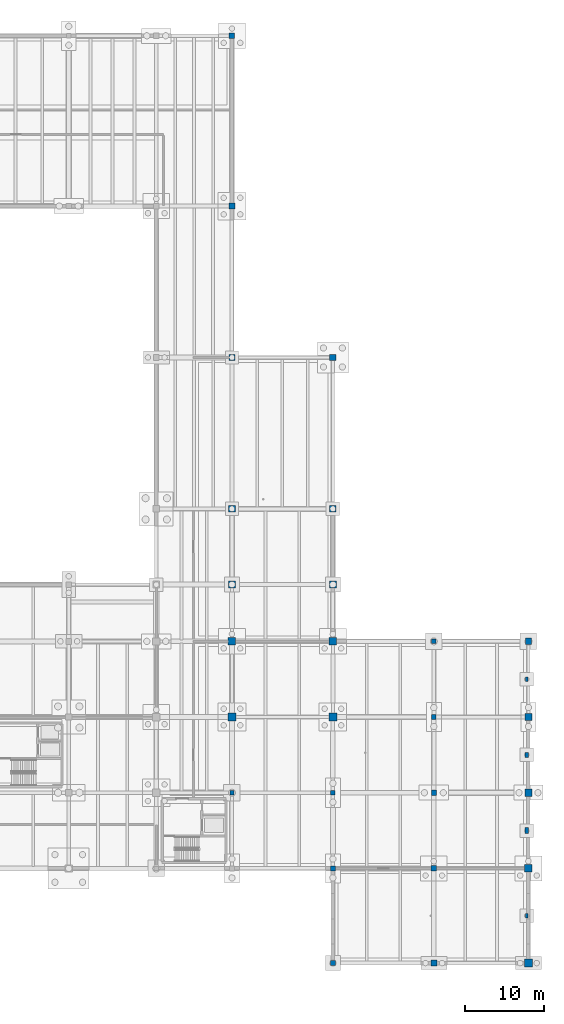
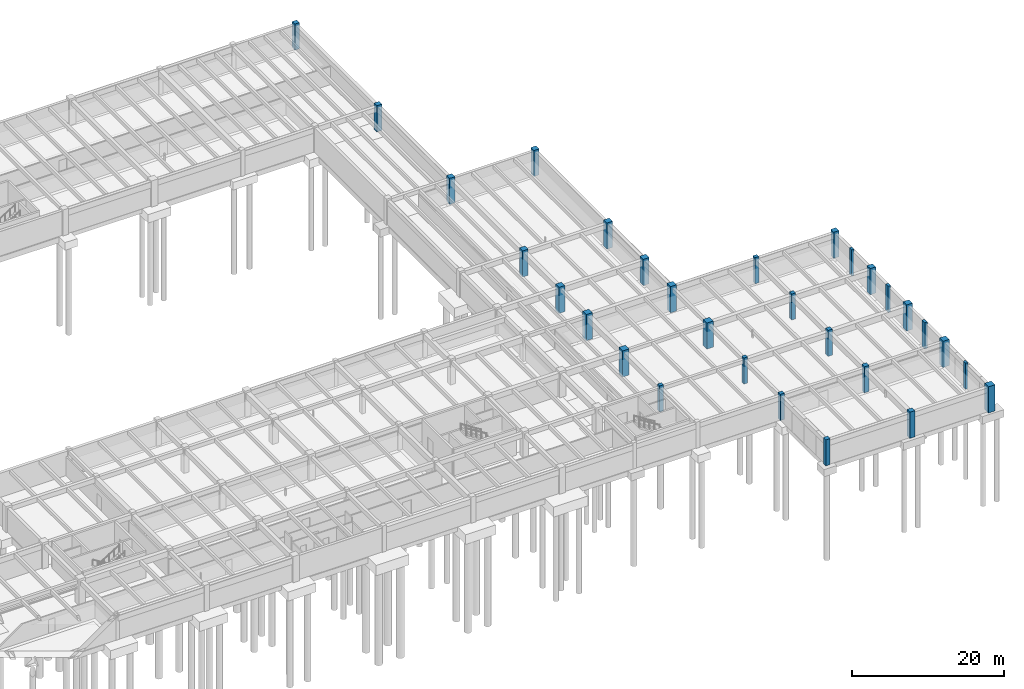
# One storey, part 8 of 41: 30 columns.
"""IFC4 building model written with IfcOpenShell, lengths in metres."""

from ifc_helpers import new_model, si_unit, direction, frame, origin, origin_2d, place, context, subcontext, project, spatial, rectangle, extrude, material, material_profile, profile_set, type_object, element, save


model = new_model("IFC4")

# Units and contexts
model_context = context("Model", 3, precision=1e-05, world=origin(), true_north=direction((0.0, 1.0)))
body_context = subcontext(model_context, "Body", "Model", "MODEL_VIEW")
ifc_project = project(units=[si_unit("LENGTHUNIT", "METRE"), si_unit("AREAUNIT", "SQUARE_METRE"), si_unit("VOLUMEUNIT", "CUBIC_METRE"), si_unit("PLANEANGLEUNIT", "RADIAN"), si_unit("MASSUNIT", "GRAM", prefix="KILO")], contexts=[model_context])

# Site, building, storey
site_placement = place(None, origin())
site = spatial("IfcSite", under=ifc_project, at=site_placement, CompositionType="ELEMENT")
building_placement = place(site_placement, origin())
building = spatial("IfcBuilding", under=site, at=building_placement, Name="Fikremerkos Civic Library", CompositionType="ELEMENT")
storey_placement = place(building_placement, frame((0.0, 0.0, -8.39990234375)))
storey = spatial("IfcBuildingStorey", under=building, at=storey_placement, Name="B02", CompositionType="ELEMENT", Elevation=-8.39990234375)

# Columns
ifc_material_1 = material(Name="Concrete C45/55", Category="concrete")
ifc_material_profile_1 = material_profile(ifc_material_1, rectangle(XDim=1.0, YDim=1.0, at=origin_2d()), Name="RC 1000x1000")
ifc_profile_set_1 = profile_set([ifc_material_profile_1], Name="Concrete C45/55")
column_type_1 = type_object("IfcColumnType", Name="Structural column COL-01 RC 1000x1000", PredefinedType="COLUMN", material=ifc_profile_set_1)
for number, where, z_axis, x_axis, name in (
    (1, (134.39990234375, 31.199951171875, 0.0), (0.0, 0.0, 1.0), (1.0, 0.0, 0.0), "Column COL-01 B02 12/G"),
    (2, (147.199951171875, 31.199951171875, 0.0), (0.0, 0.0, 1.0), (1.0, 0.0, 0.0), "Column COL-01 B02 13/G"),
    (3, (172.0, 0.0, 0.0), (0.0, 0.0, 1.0), (1.0, 0.0, 0.0), "Column COL-01 B02 15/A"),
):
    element("IfcColumn", number, at=place(storey_placement, frame(where, z_axis=z_axis, x_axis=x_axis)), inside=storey, type_object=column_type_1, Name=name, PredefinedType="COLUMN", context=body_context, shape_type="SweptSolid", body=[
        extrude(rectangle(XDim=1.0, YDim=1.0, at=origin_2d()), origin(), (0.0, 0.0, 1.0), 4.199951171875),
    ])
ifc_material_profile_2 = material_profile(ifc_material_1, rectangle(XDim=0.949951171875, YDim=0.949951171875, at=origin_2d()), Name="RC 950x950")
ifc_profile_set_2 = profile_set([ifc_material_profile_2], Name="Concrete C45/55")
column_type_2 = type_object("IfcColumnType", Name="Structural column COL-02 RC 950x950", PredefinedType="COLUMN", material=ifc_profile_set_2)
for number, where, z_axis, x_axis, name in (
    (4, (134.39990234375, 40.800048828125, 0.0), (0.0, 0.0, 1.0), (1.0, 0.0, 0.0), "Column COL-02 B02 12/H"),
    (5, (147.199951171875, 40.800048828125, 0.0), (0.0, 0.0, 1.0), (1.0, 0.0, 0.0), "Column COL-02 B02 13/H"),
    (6, (172.0, 12.0, 0.0), (0.0, 0.0, 1.0), (1.0, 0.0, 0.0), "Column COL-02 B02 15/E"),
):
    element("IfcColumn", number, at=place(storey_placement, frame(where, z_axis=z_axis, x_axis=x_axis)), inside=storey, type_object=column_type_2, Name=name, PredefinedType="COLUMN", context=body_context, shape_type="SweptSolid", body=[
        extrude(rectangle(XDim=0.949951171875, YDim=0.949951171875, at=origin_2d()), origin(), (0.0, 0.0, 1.0), 4.199951171875),
    ])
ifc_material_profile_3 = material_profile(ifc_material_1, rectangle(XDim=0.89990234375, YDim=0.89990234375, at=origin_2d()), Name="RC 900x900")
ifc_profile_set_3 = profile_set([ifc_material_profile_3], Name="Concrete C45/55")
column_type_3 = type_object("IfcColumnType", Name="Structural column COL-03 RC 900x900", PredefinedType="COLUMN", material=ifc_profile_set_3)
for number, where, z_axis, x_axis, name in (
    (7, (134.39990234375, 48.0, 0.0), (0.0, 0.0, 1.0), (1.0, 0.0, 0.0), "Column COL-03 B02 12/J"),
    (8, (147.199951171875, 48.0, 0.0), (0.0, 0.0, 1.0), (1.0, 0.0, 0.0), "Column COL-03 B02 13/J"),
    (9, (172.0, 21.60009765625, 0.0), (0.0, 0.0, 1.0), (1.0, 0.0, 0.0), "Column COL-03 B02 15/F"),
):
    element("IfcColumn", number, at=place(storey_placement, frame(where, z_axis=z_axis, x_axis=x_axis)), inside=storey, type_object=column_type_3, Name=name, PredefinedType="COLUMN", context=body_context, shape_type="SweptSolid", body=[
        extrude(rectangle(XDim=0.89990234375, YDim=0.89990234375, at=origin_2d()), origin(), (0.0, 0.0, 1.0), 4.199951171875),
    ])
ifc_material_2 = material(Name="Concrete C40/50", Category="concrete")
ifc_material_profile_4 = material_profile(ifc_material_2, rectangle(XDim=0.85009765625, YDim=0.85009765625, at=origin_2d()), Name="RC 850x850")
ifc_profile_set_4 = profile_set([ifc_material_profile_4], Name="Concrete C40/50")
column_type_4 = type_object("IfcColumnType", Name="Structural column COL-04 RC 850x850", PredefinedType="COLUMN", material=ifc_profile_set_4)
for number, where, z_axis, x_axis, name in (
    (10, (134.39990234375, 57.60009765625, 0.0), (0.0, 0.0, 1.0), (1.0, 0.0, 0.0), "Column COL-04 B02 12/K"),
    (11, (147.199951171875, 57.60009765625, 0.0), (0.0, 0.0, 1.0), (1.0, 0.0, 0.0), "Column COL-04 B02 13/K"),
    (12, (172.0, 31.199951171875, 0.0), (0.0, 0.0, 1.0), (1.0, 0.0, 0.0), "Column COL-04 B02 15/G"),
):
    element("IfcColumn", number, at=place(storey_placement, frame(where, z_axis=z_axis, x_axis=x_axis)), inside=storey, type_object=column_type_4, Name=name, PredefinedType="COLUMN", context=body_context, shape_type="SweptSolid", body=[
        extrude(rectangle(XDim=0.85009765625, YDim=0.85009765625, at=origin_2d()), origin(), (0.0, 0.0, 1.0), 4.199951171875),
    ])
ifc_material_profile_5 = material_profile(ifc_material_2, rectangle(XDim=0.800048828125, YDim=0.800048828125, at=origin_2d()), Name="RC 800x800")
ifc_profile_set_5 = profile_set([ifc_material_profile_5], Name="Concrete C40/50")
column_type_5 = type_object("IfcColumnType", Name="Structural column COL-05 RC 800x800", PredefinedType="COLUMN", material=ifc_profile_set_5)
for number, where, z_axis, x_axis, name in (
    (13, (134.39990234375, 76.800048828125, 0.0), (0.0, 0.0, 1.0), (1.0, 0.0, 0.0), "Column COL-05 B02 12/L"),
    (14, (147.199951171875, 76.800048828125, 0.0), (0.0, 0.0, 1.0), (1.0, 0.0, 0.0), "Column COL-05 B02 13/L"),
    (15, (172.0, 40.800048828125, 0.0), (0.0, 0.0, 1.0), (1.0, 0.0, 0.0), "Column COL-05 B02 15/H"),
):
    element("IfcColumn", number, at=place(storey_placement, frame(where, z_axis=z_axis, x_axis=x_axis)), inside=storey, type_object=column_type_5, Name=name, PredefinedType="COLUMN", context=body_context, shape_type="SweptSolid", body=[
        extrude(rectangle(XDim=0.800048828125, YDim=0.800048828125, at=origin_2d()), origin(), (0.0, 0.0, 1.0), 4.199951171875),
    ])
ifc_material_profile_6 = material_profile(ifc_material_2, rectangle(XDim=0.75, YDim=0.75, at=origin_2d()), Name="RC 750x750")
ifc_profile_set_6 = profile_set([ifc_material_profile_6], Name="Concrete C40/50")
column_type_6 = type_object("IfcColumnType", Name="Structural column COL-06 RC 750x750", PredefinedType="COLUMN", material=ifc_profile_set_6)
for number, where, z_axis, x_axis, name in (
    (16, (134.39990234375, 96.0, 0.0), (0.0, 0.0, 1.0), (1.0, 0.0, 0.0), "Column COL-06 B02 12/M"),
    (17, (160.0, 0.0, 0.0), (0.0, 0.0, 1.0), (1.0, 0.0, 0.0), "Column COL-06 B02 14/A"),
):
    element("IfcColumn", number, at=place(storey_placement, frame(where, z_axis=z_axis, x_axis=x_axis)), inside=storey, type_object=column_type_6, Name=name, PredefinedType="COLUMN", context=body_context, shape_type="SweptSolid", body=[
        extrude(rectangle(XDim=0.75, YDim=0.75, at=origin_2d()), origin(), (0.0, 0.0, 1.0), 4.199951171875),
    ])
ifc_material_profile_7 = material_profile(ifc_material_2, rectangle(XDim=0.699951171875, YDim=0.699951171875, at=origin_2d()), Name="RC 700x700")
ifc_profile_set_7 = profile_set([ifc_material_profile_7], Name="Concrete C40/50")
column_type_7 = type_object("IfcColumnType", Name="Structural column COL-07 RC 700x700", PredefinedType="COLUMN", material=ifc_profile_set_7)
for number, where, z_axis, x_axis, name in (
    (18, (134.39990234375, 117.60009765625, 0.0), (0.0, 0.0, 1.0), (1.0, 0.0, 0.0), "Column COL-07 B02 12/N"),
    (19, (160.0, 12.0, 0.0), (0.0, 0.0, 1.0), (1.0, 0.0, 0.0), "Column COL-07 B02 14/E"),
):
    element("IfcColumn", number, at=place(storey_placement, frame(where, z_axis=z_axis, x_axis=x_axis)), inside=storey, type_object=column_type_7, Name=name, PredefinedType="COLUMN", context=body_context, shape_type="SweptSolid", body=[
        extrude(rectangle(XDim=0.699951171875, YDim=0.699951171875, at=origin_2d()), origin(), (0.0, 0.0, 1.0), 4.199951171875),
    ])
ifc_material_profile_8 = material_profile(ifc_material_2, rectangle(XDim=0.64990234375, YDim=0.64990234375, at=origin_2d()), Name="RC 650x650")
ifc_profile_set_8 = profile_set([ifc_material_profile_8], Name="Concrete C40/50")
column_type_8 = type_object("IfcColumnType", Name="Structural column COL-08 RC 650x650", PredefinedType="COLUMN", material=ifc_profile_set_8)
for number, where, z_axis, x_axis, name in (
    (20, (147.199951171875, 0.0, 0.0), (0.0, 0.0, 1.0), (1.0, 0.0, 0.0), "Column COL-08 B02 13/A"),
    (21, (160.0, 21.60009765625, 0.0), (0.0, 0.0, 1.0), (1.0, 0.0, 0.0), "Column COL-08 B02 14/F"),
):
    element("IfcColumn", number, at=place(storey_placement, frame(where, z_axis=z_axis, x_axis=x_axis)), inside=storey, type_object=column_type_8, Name=name, PredefinedType="COLUMN", context=body_context, shape_type="SweptSolid", body=[
        extrude(rectangle(XDim=0.64990234375, YDim=0.64990234375, at=origin_2d()), origin(), (0.0, 0.0, 1.0), 4.199951171875),
    ])
ifc_material_profile_9 = material_profile(ifc_material_2, rectangle(XDim=0.60009765625, YDim=0.60009765625, at=origin_2d()), Name="RC 600x600")
ifc_profile_set_9 = profile_set([ifc_material_profile_9], Name="Concrete C40/50")
column_type_9 = type_object("IfcColumnType", Name="Structural column COL-09 RC 600x600", PredefinedType="COLUMN", material=ifc_profile_set_9)
for number, where, z_axis, x_axis, name in (
    (22, (147.199951171875, 12.0, 0.0), (0.0, 0.0, 1.0), (1.0, 0.0, 0.0), "Column COL-09 B02 13/E"),
    (23, (160.0, 31.199951171875, 0.0), (0.0, 0.0, 1.0), (1.0, 0.0, 0.0), "Column COL-09 B02 14/G"),
):
    element("IfcColumn", number, at=place(storey_placement, frame(where, z_axis=z_axis, x_axis=x_axis)), inside=storey, type_object=column_type_9, Name=name, PredefinedType="COLUMN", context=body_context, shape_type="SweptSolid", body=[
        extrude(rectangle(XDim=0.60009765625, YDim=0.60009765625, at=origin_2d()), origin(), (0.0, 0.0, 1.0), 4.199951171875),
    ])
ifc_material_profile_10 = material_profile(ifc_material_2, rectangle(XDim=0.550048828125, YDim=0.550048828125, at=origin_2d()), Name="RC 550x550")
ifc_profile_set_10 = profile_set([ifc_material_profile_10], Name="Concrete C40/50")
column_type_10 = type_object("IfcColumnType", Name="Structural column COL-10 RC 550x550", PredefinedType="COLUMN", material=ifc_profile_set_10)
for number, where, z_axis, x_axis, name in (
    (24, (134.39990234375, 21.60009765625, 0.0), (0.0, 0.0, 1.0), (1.0, 0.0, 0.0), "Column COL-10 B02 12/F"),
    (25, (147.199951171875, 21.60009765625, 0.0), (0.0, 0.0, 1.0), (1.0, 0.0, 0.0), "Column COL-10 B02 13/F"),
    (26, (160.0, 40.800048828125, 0.0), (0.0, 0.0, 1.0), (1.0, 0.0, 0.0), "Column COL-10 B02 14/H"),
):
    element("IfcColumn", number, at=place(storey_placement, frame(where, z_axis=z_axis, x_axis=x_axis)), inside=storey, type_object=column_type_10, Name=name, PredefinedType="COLUMN", context=body_context, shape_type="SweptSolid", body=[
        extrude(rectangle(XDim=0.550048828125, YDim=0.550048828125, at=origin_2d()), origin(), (0.0, 0.0, 1.0), 4.199951171875),
    ])
ifc_material_profile_11 = material_profile(ifc_material_2, rectangle(XDim=0.39990234375, YDim=0.75, at=origin_2d()), Name="RC 400x750")
ifc_profile_set_11 = profile_set([ifc_material_profile_11], Name="Concrete C40/50")
column_type_11 = type_object("IfcColumnType", Name="Wall pilaster PIL-02 RC 400x750", PredefinedType="PILASTER", material=ifc_profile_set_11)
column_1_placement = place(storey_placement, frame((171.780029296875, 16.800048828125, 0.0), z_axis=(0.0, 0.0, 1.0), x_axis=(1.0, 0.0, 0.0)))
element("IfcColumn", 27, at=column_1_placement, inside=storey, type_object=column_type_11, Name="Wall pilaster PIL-02 B02 E2", PredefinedType="PILASTER", context=body_context, shape_type="SweptSolid", body=[
    extrude(rectangle(XDim=0.39990234375, YDim=0.75, at=origin_2d()), origin(), (0.0, 0.0, 1.0), 4.199951171875),
])
ifc_material_profile_12 = material_profile(ifc_material_2, rectangle(XDim=0.39990234375, YDim=0.64990234375, at=origin_2d()), Name="RC 400x650")
ifc_profile_set_12 = profile_set([ifc_material_profile_12], Name="Concrete C40/50")
column_type_12 = type_object("IfcColumnType", Name="Wall pilaster PIL-03 RC 400x650", PredefinedType="PILASTER", material=ifc_profile_set_12)
column_2_placement = place(storey_placement, frame((171.780029296875, 26.39990234375, 0.0), z_axis=(0.0, 0.0, 1.0), x_axis=(1.0, 0.0, 0.0)))
element("IfcColumn", 28, at=column_2_placement, inside=storey, type_object=column_type_12, Name="Wall pilaster PIL-03 B02 E3", PredefinedType="PILASTER", context=body_context, shape_type="SweptSolid", body=[
    extrude(rectangle(XDim=0.39990234375, YDim=0.64990234375, at=origin_2d()), origin(), (0.0, 0.0, 1.0), 4.199951171875),
])
ifc_material_profile_13 = material_profile(ifc_material_2, rectangle(XDim=0.35009765625, YDim=0.60009765625, at=origin_2d()), Name="RC 350x600")
ifc_profile_set_13 = profile_set([ifc_material_profile_13], Name="Concrete C40/50")
column_type_13 = type_object("IfcColumnType", Name="Wall pilaster PIL-04 RC 350x600", PredefinedType="PILASTER", material=ifc_profile_set_13)
for number, where, z_axis, x_axis, name in (
    (29, (171.780029296875, 6.0, 0.0), (0.0, 0.0, 1.0), (1.0, 0.0, 0.0), "Wall pilaster PIL-04 B02 E1"),
    (30, (171.780029296875, 36.0, 0.0), (0.0, 0.0, 1.0), (1.0, 0.0, 0.0), "Wall pilaster PIL-04 B02 E4"),
):
    element("IfcColumn", number, at=place(storey_placement, frame(where, z_axis=z_axis, x_axis=x_axis)), inside=storey, type_object=column_type_13, Name=name, PredefinedType="PILASTER", context=body_context, shape_type="SweptSolid", body=[
        extrude(rectangle(XDim=0.35009765625, YDim=0.60009765625, at=origin_2d()), origin(), (0.0, 0.0, 1.0), 4.199951171875),
    ])

save(model, "model.ifc")
